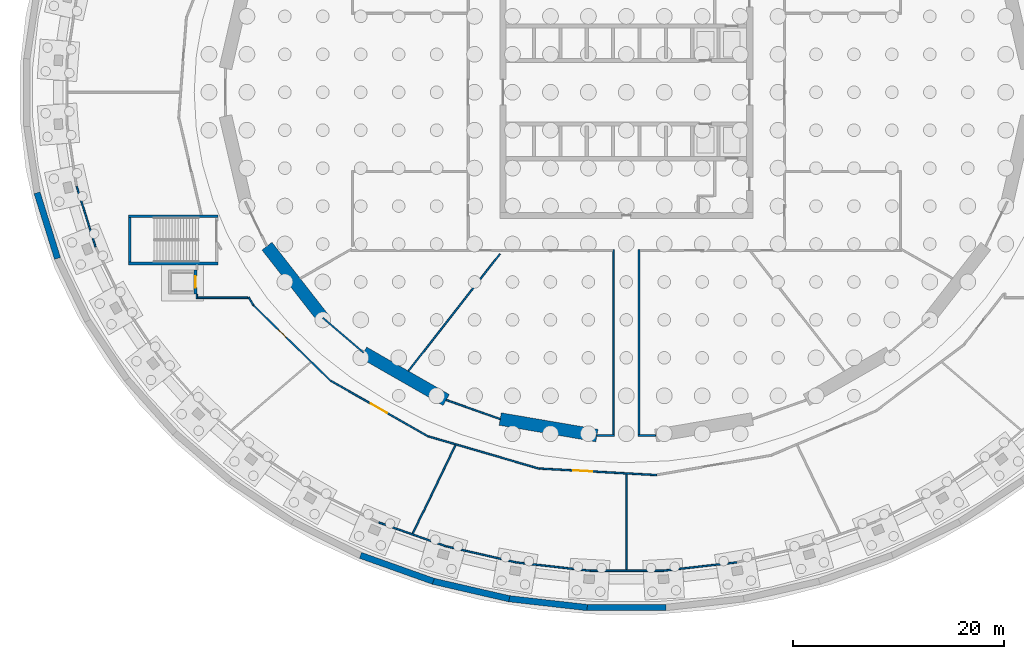
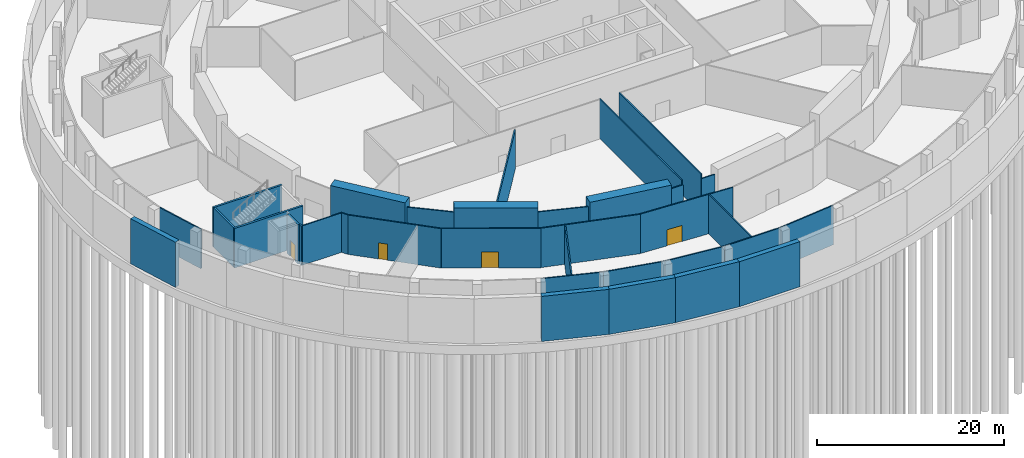
# One storey, part 6 of 15: 34 walls, 4 doors, 4 openings.
"""IFC4 building model written with IfcOpenShell, lengths in metres."""

from ifc_helpers import new_model, si_unit, direction, frame, frame_2d, origin, place, context, subcontext, project, spatial, polyline, rectangle, outline, extrude, material, layer, layer_set, type_object, element, fill, save


model = new_model("IFC4")

# Units and contexts
model_context = context("Model", 3, precision=1e-05, world=origin(), true_north=direction((0.0, 1.0)))
body_context = subcontext(model_context, "Body", "Model", "MODEL_VIEW")
ifc_project = project(units=[si_unit("LENGTHUNIT", "METRE"), si_unit("AREAUNIT", "SQUARE_METRE"), si_unit("VOLUMEUNIT", "CUBIC_METRE"), si_unit("PLANEANGLEUNIT", "RADIAN"), si_unit("MASSUNIT", "GRAM", prefix="KILO")], contexts=[model_context])

# Site, building, storey
site_placement = place(None, origin())
site = spatial("IfcSite", under=ifc_project, at=site_placement, CompositionType="ELEMENT")
building_placement = place(site_placement, origin())
building = spatial("IfcBuilding", under=site, at=building_placement, Name="Halqa Exchange Tower", CompositionType="ELEMENT")
storey_placement = place(building_placement, frame((0.0, 0.0, -15.0)))
storey = spatial("IfcBuildingStorey", under=building, at=storey_placement, Name="B3", CompositionType="ELEMENT", Elevation=-15.0)

# Walls
ifc_material_1 = material(Name="Fire-rated gypsum board")
ifc_layer_1 = layer(ifc_material_1, 0.14990234375)
ifc_layer_set_1 = layer_set([ifc_layer_1], Name="Fire-rated gypsum board")
wall_type_1 = type_object("IfcWallType", Name="Fire partition EI 60 150", PredefinedType="PARTITIONING", material=ifc_layer_set_1)
wall_1_placement = place(storey_placement, frame((-52.15380859375, -8.93408203125, 0.0), z_axis=(0.0, 0.0, 1.0), x_axis=(0.297729429636, -0.954650295516, 0.0)))
element("IfcWall", 1, at=wall_1_placement, inside=storey, type_object=wall_type_1, Name="B3-PWL-004", PredefinedType="PARTITIONING", context=body_context, shape_type="SweptSolid", body=[
    extrude(rectangle(XDim=6.013916015625, YDim=0.14990234375, at=frame_2d((3.0068359375, 0.0))), origin(), (0.0, 0.0, 1.0), 5.14990234375),
])
wall_2_placement = place(storey_placement, frame((-40.75, -19.574951171875, 0.0), z_axis=(0.0, 0.0, 1.0), x_axis=(0.0, 1.0, 0.0)))
element("IfcWall", 2, at=wall_2_placement, inside=storey, type_object=wall_type_1, Name="B3-PWL-015", PredefinedType="PARTITIONING", context=body_context, shape_type="SweptSolid", body=[
    extrude(rectangle(XDim=0.425048828125, YDim=0.14990234375, at=frame_2d((0.21240234375, 0.0))), origin(), (0.0, 0.0, 1.0), 5.14990234375),
])
wall_3_placement = place(storey_placement, frame((-35.890380859375, -19.5, 0.0), z_axis=(0.0, 0.0, 1.0), x_axis=(-1.0, 0.0, 0.0)))
element("IfcWall", 3, at=wall_3_placement, inside=storey, type_object=wall_type_1, Name="B3-PWL-026", PredefinedType="PARTITIONING", context=body_context, shape_type="SweptSolid", body=[
    extrude(outline(polyline([(0.044921875, -0.074951171875), (4.78466796875, -0.074951171875), (4.78466796875, 0.074951171875), (-0.044921875, 0.074951171875), (0.044921875, -0.074951171875)])), origin(), (0.0, 0.0, 1.0), 5.14990234375),
])
wall_4_placement = place(storey_placement, frame((-35.834716796875, -19.448486328125, 0.0), z_axis=(0.0, 0.0, 1.0), x_axis=(0.502102221325, -0.86480827895, 0.0)))
element("IfcWall", 4, at=wall_4_placement, inside=storey, type_object=wall_type_1, Name="B3-PWL-027", PredefinedType="PARTITIONING", context=body_context, shape_type="SweptSolid", body=[
    extrude(rectangle(XDim=0.884521484375, YDim=0.14990234375, at=frame_2d((0.4423828125, 0.0))), origin(), (0.0, 0.0, 1.0), 5.14990234375),
])

# Wall, opening, door
wall_5_placement = place(storey_placement, frame((-35.388671875, -20.21142578125, 0.0), z_axis=(0.0, 0.0, 1.0), x_axis=(0.714900505887, -0.699226191359, 0.0)))
wall_5 = element("IfcWall", 5, at=wall_5_placement, inside=storey, type_object=wall_type_1, Name="B3-PWL-029", PredefinedType="PARTITIONING", context=body_context, shape_type="SweptSolid", body=[
    extrude(rectangle(XDim=10.295654296875, YDim=0.14990234375, at=frame_2d((5.14794921875, 0.0))), origin(), (0.0, 0.0, 1.0), 5.14990234375),
])
opening_1_placement = place(wall_5_placement, frame((3.352783203125, 0.0, 0.0)))
opening_1 = element("IfcOpeningElement", 6, at=opening_1_placement, cuts=wall_5, Name="Opening B3-30", PredefinedType="OPENING", context=body_context, shape_type="SweptSolid", body=[
    extrude(rectangle(XDim=1.0, YDim=2.10009765625, at=frame_2d((0.5, 1.050048828125))), frame((0.0, 0.0869140625, 0.0), z_axis=(0.0, -1.0, 0.0), x_axis=(1.0, 0.0, 0.0)), (0.0, 0.0, 1.0), 0.173828125),
])
ifc_material_2 = material(Name="Steel fire door leaf", Category="steel")
door_type_1 = type_object("IfcDoorType", Name="Fire door FD30S 1000 x 2100", OperationType="SINGLE_SWING_LEFT", PredefinedType="DOOR", material=ifc_material_2)
door_1_placement = place(opening_1_placement, origin())
door_1 = element("IfcDoor", 7, at=door_1_placement, inside=storey, type_object=door_type_1, Name="B3-IDR-030", OperationType="SINGLE_SWING_RIGHT", OverallHeight=2.10009765625, OverallWidth=1.0, PredefinedType="DOOR", context=body_context, shape_type="SweptSolid", body=[
    extrude(rectangle(XDim=1.0, YDim=2.10009765625, at=frame_2d((0.5, 1.050048828125))), frame((0.0, 0.02490234375, 0.0), z_axis=(0.0, -1.0, 0.0), x_axis=(1.0, 0.0, 0.0)), (0.0, 0.0, 1.0), 0.050048828125),
])
fill(opening_1, door_1)

# Walls
wall_6_placement = place(storey_placement, frame((-28.789306640625, -21.41064453125, 0.0), z_axis=(0.0, 0.0, 1.0), x_axis=(0.760084552743, -0.649824185978, 0.0)))
element("IfcWall", 8, at=wall_6_placement, inside=storey, type_object=wall_type_1, Name="B3-PWL-037", PredefinedType="PARTITIONING", context=body_context, shape_type="SweptSolid", body=[
    extrude(outline(polyline([(-0.015380859375, -0.074951171875), (5.089111328125, -0.074951171875), (5.060791015625, 0.074951171875), (0.015380859375, 0.074951171875), (-0.015380859375, -0.074951171875)])), origin(), (0.0, 0.0, 1.0), 4.60009765625),
])
wall_7_placement = place(storey_placement, frame((-23.489501953125, -40.818603515625, 0.0), z_axis=(0.0, 0.0, 1.0), x_axis=(0.942678523295, -0.333702265079, 0.0)))
element("IfcWall", 9, at=wall_7_placement, inside=storey, type_object=wall_type_1, Name="B3-PWL-048", PredefinedType="PARTITIONING", context=body_context, shape_type="SweptSolid", body=[
    extrude(rectangle(XDim=6.831787109375, YDim=0.14990234375, at=frame_2d((3.416015625, 0.0))), origin(), (0.0, 0.0, 1.0), 5.14990234375),
])
wall_8_placement = place(storey_placement, frame((-20.679931640625, -26.449951171875, 0.0), z_axis=(0.0, 0.0, 1.0), x_axis=(0.616465586388, 0.787381851962, 0.0)))
element("IfcWall", 10, at=wall_8_placement, inside=storey, type_object=wall_type_1, Name="B3-PWL-050", PredefinedType="PARTITIONING", context=body_context, shape_type="SweptSolid", body=[
    extrude(outline(polyline([(0.010986328125, -0.074951171875), (14.099853515625, -0.074951171875), (14.099853515625, 0.074951171875), (-0.010986328125, 0.074951171875), (0.010986328125, -0.074951171875)])), origin(), (0.0, 0.0, 1.0), 5.14990234375),
])

# Wall, opening, door
wall_9_placement = place(storey_placement, frame((-18.774169921875, -32.67919921875, 0.0), z_axis=(0.0, 0.0, 1.0), x_axis=(-0.867830645151, 0.496860112444, 0.0)))
wall_9 = element("IfcWall", 11, at=wall_9_placement, inside=storey, type_object=wall_type_1, Name="B3-PWL-052", PredefinedType="PARTITIONING", context=body_context, shape_type="SweptSolid", body=[
    extrude(rectangle(XDim=10.64306640625, YDim=0.14990234375, at=frame_2d((5.321533203125, 0.0))), origin(), (0.0, 0.0, 1.0), 5.14990234375),
])
opening_2_placement = place(wall_9_placement, frame((4.522705078125, 0.0, 0.0)))
opening_2 = element("IfcOpeningElement", 12, at=opening_2_placement, cuts=wall_9, Name="Opening B3-31", PredefinedType="OPENING", context=body_context, shape_type="SweptSolid", body=[
    extrude(rectangle(XDim=1.800048828125, YDim=2.10009765625, at=frame_2d((0.89990234375, 1.050048828125))), frame((0.0, 0.0869140625, 0.0), z_axis=(0.0, -1.0, 0.0), x_axis=(1.0, 0.0, 0.0)), (0.0, 0.0, 1.0), 0.173828125),
])
door_type_2 = type_object("IfcDoorType", Name="Fire door FD30S double 1800 x 2100", OperationType="DOUBLE_DOOR_SINGLE_SWING", PredefinedType="DOOR", material=ifc_material_2)
door_2_placement = place(opening_2_placement, origin())
door_2 = element("IfcDoor", 13, at=door_2_placement, inside=storey, type_object=door_type_2, Name="B3-IDR-031", OperationType="DOUBLE_DOOR_SINGLE_SWING", OverallHeight=2.10009765625, OverallWidth=1.800048828125, PredefinedType="DOOR", context=body_context, shape_type="SweptSolid", body=[
    extrude(rectangle(XDim=1.800048828125, YDim=2.10009765625, at=frame_2d((0.89990234375, 1.050048828125))), frame((0.0, 0.02490234375, 0.0), z_axis=(0.0, -1.0, 0.0), x_axis=(1.0, 0.0, 0.0)), (0.0, 0.0, 1.0), 0.050048828125),
])
fill(opening_2, door_2)

# Walls
wall_10_placement = place(storey_placement, frame((-18.762939453125, -32.658203125, 0.0), z_axis=(0.0, 0.0, 1.0), x_axis=(0.960103579148, -0.279644626818, 0.0)))
element("IfcWall", 14, at=wall_10_placement, inside=storey, type_object=wall_type_1, Name="B3-PWL-053", PredefinedType="PARTITIONING", context=body_context, shape_type="SweptSolid", body=[
    extrude(rectangle(XDim=10.974853515625, YDim=0.14990234375, at=frame_2d((5.4873046875, 0.0))), origin(), (0.0, 0.0, 1.0), 5.14990234375),
])
wall_11_placement = place(storey_placement, frame((-17.0908203125, -29.19970703125, 0.0), z_axis=(0.0, 0.0, 1.0), x_axis=(0.942814385805, -0.333318217204, 0.0)))
element("IfcWall", 15, at=wall_11_placement, inside=storey, type_object=wall_type_1, Name="B3-PWL-055", PredefinedType="PARTITIONING", context=body_context, shape_type="SweptSolid", body=[
    extrude(outline(polyline([(-0.013671875, -0.074951171875), (5.44775390625, -0.074951171875), (5.421875, 0.074951171875), (0.013671875, 0.074951171875), (-0.013671875, -0.074951171875)])), origin(), (0.0, 0.0, 1.0), 4.60009765625),
])
wall_12_placement = place(storey_placement, frame((-16.2041015625, -33.480712890625, 0.0), z_axis=(0.0, 0.0, 1.0), x_axis=(-0.435389941519, -0.90024196682, 0.0)))
element("IfcWall", 16, at=wall_12_placement, inside=storey, type_object=wall_type_1, Name="B3-PWL-056", PredefinedType="PARTITIONING", context=body_context, shape_type="SweptSolid", body=[
    extrude(outline(polyline([(0.0126953125, -0.074951171875), (9.339111328125, -0.074951171875), (9.322509765625, 0.074951171875), (-0.0126953125, 0.074951171875), (0.0126953125, -0.074951171875)])), origin(), (0.0, 0.0, 1.0), 5.14990234375),
])
wall_13_placement = place(storey_placement, frame((-10.316650390625, -44.63916015625, 0.0), z_axis=(0.0, 0.0, 1.0), x_axis=(-0.974487031509, 0.224443813504, 0.0)))
element("IfcWall", 17, at=wall_13_placement, inside=storey, type_object=wall_type_1, Name="B3-PWL-063", PredefinedType="PARTITIONING", context=body_context, shape_type="SweptSolid", body=[
    extrude(rectangle(XDim=6.90625, YDim=0.14990234375, at=frame_2d((3.453125, 0.0))), origin(), (0.0, 0.0, 1.0), 5.14990234375),
])

# Wall, opening, door
wall_14_placement = place(storey_placement, frame((-8.22021484375, -35.70556640625, 0.0), z_axis=(0.0, 0.0, 1.0), x_axis=(0.998446411546, -0.055720402649, 0.0)))
wall_14 = element("IfcWall", 18, at=wall_14_placement, inside=storey, type_object=wall_type_1, Name="B3-PWL-065", PredefinedType="PARTITIONING", context=body_context, shape_type="SweptSolid", body=[
    extrude(rectangle(XDim=11.124755859375, YDim=0.14990234375, at=frame_2d((5.5625, 0.0))), origin(), (0.0, 0.0, 1.0), 5.14990234375),
])
opening_3_placement = place(wall_14_placement, frame((3.181396484375, 0.0, 0.0)))
opening_3 = element("IfcOpeningElement", 19, at=opening_3_placement, cuts=wall_14, Name="Opening B3-32", PredefinedType="OPENING", context=body_context, shape_type="SweptSolid", body=[
    extrude(rectangle(XDim=1.800048828125, YDim=2.10009765625, at=frame_2d((0.89990234375, 1.050048828125))), frame((0.0, 0.0869140625, 0.0), z_axis=(0.0, -1.0, 0.0), x_axis=(1.0, 0.0, 0.0)), (0.0, 0.0, 1.0), 0.173828125),
])
door_3_placement = place(opening_3_placement, frame((1.800048828125, 0.0, 0.0), z_axis=(0.0, 0.0, 1.0), x_axis=(-1.0, 0.0, 0.0)))
door_3 = element("IfcDoor", 20, at=door_3_placement, inside=storey, type_object=door_type_2, Name="B3-IDR-032", OperationType="DOUBLE_DOOR_SINGLE_SWING", OverallHeight=2.10009765625, OverallWidth=1.800048828125, PredefinedType="DOOR", context=body_context, shape_type="SweptSolid", body=[
    extrude(rectangle(XDim=1.800048828125, YDim=2.10009765625, at=frame_2d((0.89990234375, 1.050048828125))), frame((0.0, 0.02490234375, 0.0), z_axis=(0.0, -1.0, 0.0), x_axis=(1.0, 0.0, 0.0)), (0.0, 0.0, 1.0), 0.050048828125),
])
fill(opening_3, door_3)

# Walls
wall_15_placement = place(storey_placement, frame((-3.405029296875, -45.40966796875, 0.0), z_axis=(0.0, 0.0, 1.0), x_axis=(-0.993688681101, 0.112173103067, 0.0)))
element("IfcWall", 21, at=wall_15_placement, inside=storey, type_object=wall_type_1, Name="B3-PWL-066", PredefinedType="PARTITIONING", context=body_context, shape_type="SweptSolid", body=[
    extrude(rectangle(XDim=6.953857421875, YDim=0.14990234375, at=frame_2d((3.47705078125, 0.0))), origin(), (0.0, 0.0, 1.0), 5.14990234375),
])
wall_16_placement = place(storey_placement, frame((-3.404541015625, -45.39990234375, 0.0), z_axis=(0.0, 0.0, 1.0), x_axis=(1.0, 0.0, 0.0)))
element("IfcWall", 22, at=wall_16_placement, inside=storey, type_object=wall_type_1, Name="B3-PWL-067", PredefinedType="PARTITIONING", context=body_context, shape_type="SweptSolid", body=[
    extrude(rectangle(XDim=6.97998046875, YDim=0.14990234375, at=frame_2d((3.489990234375, 0.0))), origin(), (0.0, 0.0, 1.0), 5.14990234375),
])
wall_17_placement = place(storey_placement, frame((-2.7880859375, -32.570068359375, 0.0), z_axis=(0.0, 0.0, 1.0), x_axis=(1.0, 0.0, 0.0)))
element("IfcWall", 23, at=wall_17_placement, inside=storey, type_object=wall_type_1, Name="B3-PWL-069", PredefinedType="PARTITIONING", context=body_context, shape_type="SweptSolid", body=[
    extrude(outline(polyline([(-0.0126953125, -0.074951171875), (1.6630859375, -0.074951171875), (1.6630859375, 0.074951171875), (0.0126953125, 0.074951171875), (-0.0126953125, -0.074951171875)])), origin(), (0.0, 0.0, 1.0), 4.60009765625),
])
wall_18_placement = place(storey_placement, frame((-1.199951171875, -32.4951171875, 0.0), z_axis=(0.0, 0.0, 1.0), x_axis=(0.0, 1.0, 0.0)))
element("IfcWall", 24, at=wall_18_placement, inside=storey, type_object=wall_type_1, Name="B3-PWL-071", PredefinedType="PARTITIONING", context=body_context, shape_type="SweptSolid", body=[
    extrude(rectangle(XDim=17.570068359375, YDim=0.14990234375, at=frame_2d((8.78515625, 0.0))), origin(), (0.0, 0.0, 1.0), 5.14990234375),
])
wall_19_placement = place(storey_placement, frame((0.0, -36.238525390625, 0.0), z_axis=(0.0, 0.0, 1.0), x_axis=(0.0, -1.0, 0.0)))
element("IfcWall", 25, at=wall_19_placement, inside=storey, type_object=wall_type_1, Name="B3-PWL-075", PredefinedType="PARTITIONING", context=body_context, shape_type="SweptSolid", body=[
    extrude(outline(polyline([(-0.004150390625, -0.074951171875), (9.08642578125, -0.074951171875), (9.08642578125, 0.074951171875), (0.004150390625, 0.074951171875), (-0.004150390625, -0.074951171875)])), origin(), (0.0, 0.0, 1.0), 5.14990234375),
])
wall_20_placement = place(storey_placement, frame((1.125, -32.570068359375, 0.0), z_axis=(0.0, 0.0, 1.0), x_axis=(1.0, 0.0, 0.0)))
element("IfcWall", 26, at=wall_20_placement, inside=storey, type_object=wall_type_1, Name="B3-PWL-077", PredefinedType="PARTITIONING", context=body_context, shape_type="SweptSolid", body=[
    extrude(outline(polyline([(0.0, -0.074951171875), (1.67578125, -0.074951171875), (1.650390625, 0.074951171875), (0.0, 0.074951171875), (0.0, -0.074951171875)])), origin(), (0.0, 0.0, 1.0), 4.60009765625),
])
wall_21_placement = place(storey_placement, frame((1.199951171875, -14.925048828125, 0.0), z_axis=(0.0, 0.0, 1.0), x_axis=(0.0, -1.0, 0.0)))
element("IfcWall", 27, at=wall_21_placement, inside=storey, type_object=wall_type_1, Name="B3-PWL-078", PredefinedType="PARTITIONING", context=body_context, shape_type="SweptSolid", body=[
    extrude(rectangle(XDim=17.570068359375, YDim=0.14990234375, at=frame_2d((8.78515625, 0.0))), origin(), (0.0, 0.0, 1.0), 5.14990234375),
])
wall_22_placement = place(storey_placement, frame((10.485107421875, -44.6103515625, 0.0), z_axis=(0.0, 0.0, 1.0), x_axis=(-0.993689122847, -0.112169189779, 0.0)))
element("IfcWall", 28, at=wall_22_placement, inside=storey, type_object=wall_type_1, Name="B3-PWL-085", PredefinedType="PARTITIONING", context=body_context, shape_type="SweptSolid", body=[
    extrude(rectangle(XDim=6.9541015625, YDim=0.14990234375, at=frame_2d((3.47705078125, 0.0))), origin(), (0.0, 0.0, 1.0), 5.14990234375),
])

# Wall, opening, door
ifc_material_3 = material(Name="Gypsum board")
ifc_layer_2 = layer(ifc_material_3, 0.25)
ifc_layer_set_2 = layer_set([ifc_layer_2], Name="Gypsum board")
wall_type_2 = type_object("IfcWallType", Name="Penthouse riser wall 250 gypsum", PredefinedType="PARTITIONING", material=ifc_layer_set_2)
wall_23_placement = place(storey_placement, frame((-40.875, -19.14990234375, 0.0), z_axis=(0.0, 0.0, 1.0), x_axis=(0.0, 1.0, 0.0)))
wall_23 = element("IfcWall", 29, at=wall_23_placement, inside=storey, type_object=wall_type_2, Name="Station lift AL4 wall east", PredefinedType="PARTITIONING", context=body_context, shape_type="SweptSolid", body=[
    extrude(rectangle(XDim=2.2998046875, YDim=0.25, at=frame_2d((1.14990234375, 0.0))), origin(), (0.0, 0.0, 1.0), 5.14990234375),
])
opening_4_placement = place(wall_23_placement, frame((0.60009765625, 0.0, 0.0)))
opening_4 = element("IfcOpeningElement", 30, at=opening_4_placement, cuts=wall_23, Name="Opening LD-AL4-B3", PredefinedType="OPENING", context=body_context, shape_type="SweptSolid", body=[
    extrude(rectangle(XDim=1.10009765625, YDim=2.10009765625, at=frame_2d((0.550048828125, 1.050048828125))), frame((0.0, 0.136962890625, 0.0), z_axis=(0.0, -1.0, 0.0), x_axis=(1.0, 0.0, 0.0)), (0.0, 0.0, 1.0), 0.27392578125),
])
ifc_material_4 = material(Name="Stainless steel", Category="steel")
door_type_3 = type_object("IfcDoorType", Name="Lift landing door 1100 x 2100", OperationType="SLIDING_TO_LEFT", PredefinedType="DOOR", material=ifc_material_4)
door_4_placement = place(opening_4_placement, origin())
door_4 = element("IfcDoor", 31, at=door_4_placement, inside=storey, type_object=door_type_3, Name="Lift landing door AL4", OperationType="SLIDING_TO_LEFT", OverallHeight=2.10009765625, OverallWidth=1.10009765625, PredefinedType="DOOR", context=body_context, shape_type="SweptSolid", body=[
    extrude(rectangle(XDim=1.10009765625, YDim=2.10009765625, at=frame_2d((0.550048828125, 1.050048828125))), frame((0.0, 0.02490234375, 0.0), z_axis=(0.0, -1.0, 0.0), x_axis=(1.0, 0.0, 0.0)), (0.0, 0.0, 1.0), 0.050048828125),
])
fill(opening_4, door_4)

# Walls
ifc_material_5 = material(Name="Concrete C40/50", Category="concrete")
ifc_layer_3 = layer(ifc_material_5, 0.60009765625)
ifc_layer_set_3 = layer_set([ifc_layer_3], Name="Concrete C40/50")
wall_type_3 = type_object("IfcWallType", Name="RC basement wall 600", PredefinedType="SOLIDWALL", material=ifc_layer_set_3)
wall_24_placement = place(storey_placement, frame((-55.91162109375, -9.537841796875, -0.39990234375), z_axis=(0.0, 0.0, 1.0), x_axis=(0.297591507632, -0.954693298701, 0.0)))
element("IfcWall", 32, at=wall_24_placement, inside=storey, type_object=wall_type_3, Name="Basement retaining wall", PredefinedType="SOLIDWALL", context=body_context, shape_type="SweptSolid", body=[
    extrude(rectangle(XDim=6.529541015625, YDim=0.60009765625, at=frame_2d((3.2646484375, 0.0))), origin(), (0.0, 0.0, 1.0), 5.89990234375),
])
wall_25_placement = place(storey_placement, frame((-25.227294921875, -43.94091796875, -0.39990234375), z_axis=(0.0, 0.0, 1.0), x_axis=(0.942060991409, -0.33544163198, 0.0)))
element("IfcWall", 33, at=wall_25_placement, inside=storey, type_object=wall_type_3, Name="Basement retaining wall", PredefinedType="SOLIDWALL", context=body_context, shape_type="SweptSolid", body=[
    extrude(rectangle(XDim=7.347412109375, YDim=0.60009765625, at=frame_2d((3.673828125, 0.0))), origin(), (0.0, 0.0, 1.0), 5.89990234375),
])
wall_26_placement = place(storey_placement, frame((-18.3388671875, -46.395751953125, -0.39990234375), z_axis=(0.0, 0.0, 1.0), x_axis=(0.974485322097, -0.224451235276, 0.0)))
element("IfcWall", 34, at=wall_26_placement, inside=storey, type_object=wall_type_3, Name="Basement retaining wall", PredefinedType="SOLIDWALL", context=body_context, shape_type="SweptSolid", body=[
    extrude(rectangle(XDim=7.4248046875, YDim=0.60009765625, at=frame_2d((3.71240234375, 0.0))), origin(), (0.0, 0.0, 1.0), 5.89990234375),
])
wall_27_placement = place(storey_placement, frame((-11.13720703125, -48.056640625, -0.39990234375), z_axis=(0.0, 0.0, 1.0), x_axis=(0.993658203282, -0.112442763445, 0.0)))
element("IfcWall", 35, at=wall_27_placement, inside=storey, type_object=wall_type_3, Name="Basement retaining wall", PredefinedType="SOLIDWALL", context=body_context, shape_type="SweptSolid", body=[
    extrude(rectangle(XDim=7.473388671875, YDim=0.60009765625, at=frame_2d((3.73681640625, 0.0))), origin(), (0.0, 0.0, 1.0), 5.89990234375),
])
wall_28_placement = place(storey_placement, frame((-3.744873046875, -48.89501953125, -0.39990234375), z_axis=(0.0, 0.0, 1.0), x_axis=(1.0, 0.0, 0.0)))
element("IfcWall", 36, at=wall_28_placement, inside=storey, type_object=wall_type_3, Name="Basement retaining wall", PredefinedType="SOLIDWALL", context=body_context, shape_type="SweptSolid", body=[
    extrude(rectangle(XDim=7.48974609375, YDim=0.60009765625, at=frame_2d((3.744873046875, 0.0))), origin(), (0.0, 0.0, 1.0), 5.89990234375),
])
ifc_material_6 = material(Name="Concrete C80/95", Category="concrete")
ifc_layer_4 = layer(ifc_material_6, 1.199951171875)
ifc_layer_set_4 = layer_set([ifc_layer_4], Name="Concrete C80/95")
wall_type_4 = type_object("IfcWallType", Name="RC ring pier 1200 C80/95", PredefinedType="SHEAR", material=ifc_layer_set_4)
wall_29_placement = place(storey_placement, frame((-34.09716796875, -14.60498046875, -0.39990234375), z_axis=(0.0, 0.0, 1.0), x_axis=(0.614825322247, -0.788663314174, 0.0)))
element("IfcWall", 37, at=wall_29_placement, inside=storey, type_object=wall_type_4, Name="Ring pier 10", PredefinedType="SHEAR", context=body_context, shape_type="SweptSolid", body=[
    extrude(rectangle(XDim=8.631591796875, YDim=1.199951171875, at=frame_2d((4.31591796875, 0.0))), origin(), (0.0, 0.0, 1.0), 5.89990234375),
])
wall_30_placement = place(storey_placement, frame((-24.931396484375, -24.705810546875, -0.39990234375), z_axis=(0.0, 0.0, 1.0), x_axis=(0.867760656864, -0.496982336103, 0.0)))
element("IfcWall", 38, at=wall_30_placement, inside=storey, type_object=wall_type_4, Name="Ring pier 11", PredefinedType="SHEAR", context=body_context, shape_type="SweptSolid", body=[
    extrude(rectangle(XDim=9.037841796875, YDim=1.199951171875, at=frame_2d((4.51904296875, 0.0))), origin(), (0.0, 0.0, 1.0), 5.89990234375),
])
wall_31_placement = place(storey_placement, frame((-11.96728515625, -31.00927734375, -0.39990234375), z_axis=(0.0, 0.0, 1.0), x_axis=(0.985776286846, -0.168062822456, 0.0)))
element("IfcWall", 39, at=wall_31_placement, inside=storey, type_object=wall_type_4, Name="Ring pier 12", PredefinedType="SHEAR", context=body_context, shape_type="SweptSolid", body=[
    extrude(rectangle(XDim=9.3115234375, YDim=1.199951171875, at=frame_2d((4.65576171875, 0.0))), origin(), (0.0, 0.0, 1.0), 5.89990234375),
])
ifc_material_7 = material(Name="Concrete C30/37", Category="concrete")
ifc_layer_5 = layer(ifc_material_7, 0.25)
ifc_layer_set_5 = layer_set([ifc_layer_5], Name="Concrete C30/37")
wall_type_5 = type_object("IfcWallType", Name="RC stair wall 250 C30/37", PredefinedType="SHEAR", material=ifc_layer_set_5)
for number, where, z_axis, x_axis, name in (
    (40, (-47.25, -11.75, 0.0), (0.0, 0.0, 1.0), (1.0, 0.0, 0.0), "Stair SS4 wall north"),
    (41, (-47.25, -16.25, 0.0), (0.0, 0.0, 1.0), (1.0, 0.0, 0.0), "Stair SS4 wall south"),
):
    element("IfcWall", number, at=place(storey_placement, frame(where, z_axis=z_axis, x_axis=x_axis)), inside=storey, type_object=wall_type_5, Name=name, PredefinedType="SHEAR", context=body_context, shape_type="SweptSolid", body=[
        extrude(rectangle(XDim=8.5, YDim=0.25, at=frame_2d((4.25, 0.0))), origin(), (0.0, 0.0, 1.0), 5.14990234375),
    ])
wall_32_placement = place(storey_placement, frame((-47.125, -16.125, 0.0), z_axis=(0.0, 0.0, 1.0), x_axis=(0.0, 1.0, 0.0)))
element("IfcWall", 42, at=wall_32_placement, inside=storey, type_object=wall_type_5, Name="Stair SS4 wall west", PredefinedType="SHEAR", context=body_context, shape_type="SweptSolid", body=[
    extrude(rectangle(XDim=4.25, YDim=0.25, at=frame_2d((2.125, 0.0))), origin(), (0.0, 0.0, 1.0), 5.14990234375),
])

save(model, "model.ifc")
